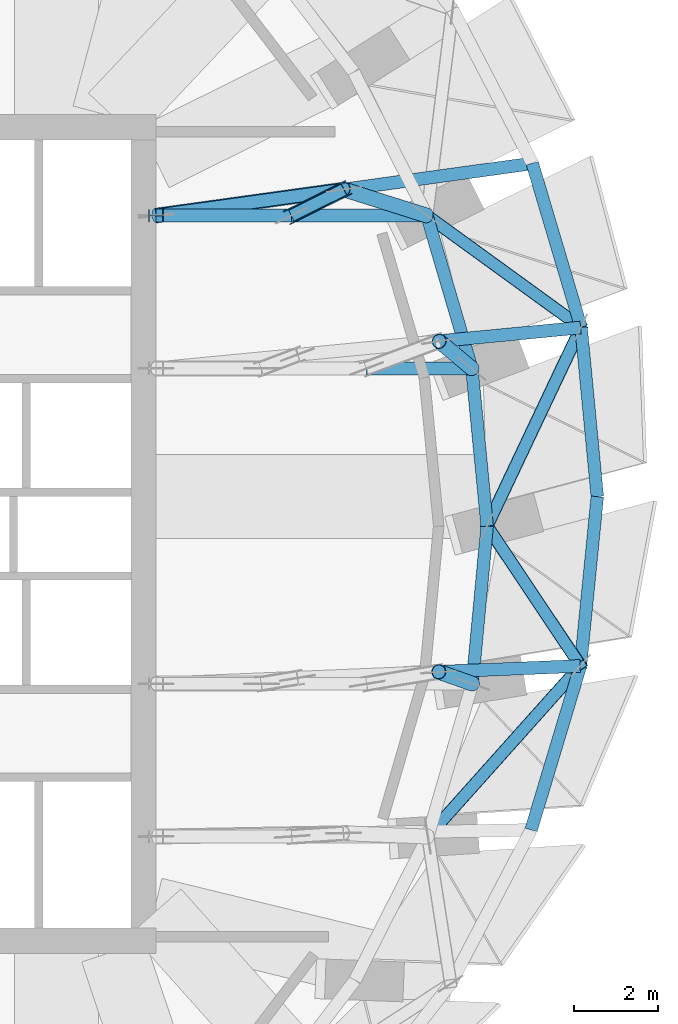
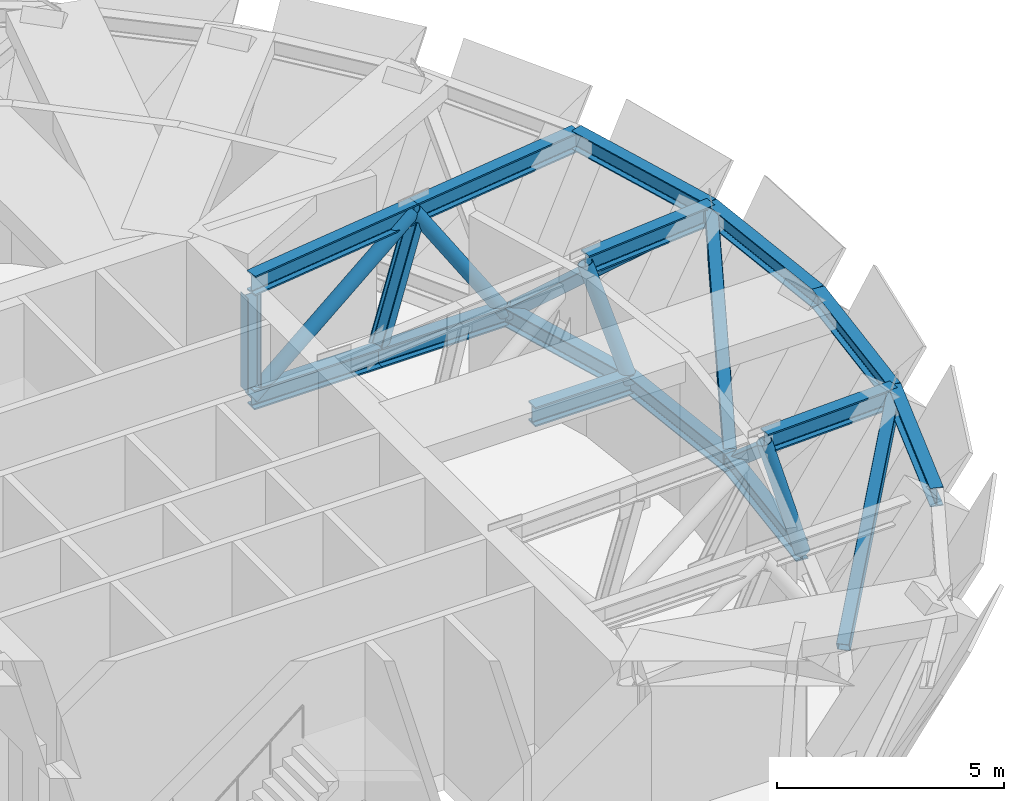
# One storey, part 5 of 16: 24 members.
"""IFC4 building model written with IfcOpenShell, lengths in metres."""

from ifc_helpers import new_model, si_unit, direction, frame, origin, origin_2d, place, context, subcontext, project, spatial, hollow_rectangle, hollow_circle, i_section, extrude, material, material_profile, profile_set, type_object, element, save


model = new_model("IFC4")

# Units and contexts
model_context = context("Model", 3, precision=1e-05, world=origin(), true_north=direction((0.0, 1.0)))
body_context = subcontext(model_context, "Body", "Model", "MODEL_VIEW")
ifc_project = project(units=[si_unit("LENGTHUNIT", "METRE"), si_unit("AREAUNIT", "SQUARE_METRE"), si_unit("VOLUMEUNIT", "CUBIC_METRE"), si_unit("PLANEANGLEUNIT", "RADIAN"), si_unit("MASSUNIT", "GRAM", prefix="KILO")], contexts=[model_context])

# Site, building, storey
site_placement = place(None, origin())
site = spatial("IfcSite", under=ifc_project, at=site_placement, CompositionType="ELEMENT")
building_placement = place(site_placement, origin())
building = spatial("IfcBuilding", under=site, at=building_placement, Name="Taillehof Tower", CompositionType="ELEMENT")
storey_placement = place(building_placement, frame((0.0, 0.0, 184.699951171875)))
storey = spatial("IfcBuildingStorey", under=building, at=storey_placement, Name="L52", CompositionType="ELEMENT", Elevation=184.699951171875)

# Members
ifc_material_1 = material(Name="Steel S460M", Category="steel")
ifc_material_profile_1 = material_profile(ifc_material_1, i_section(OverallWidth=0.300048828125, OverallDepth=0.5, WebThickness=0.014404296875, FlangeThickness=0.028076171875, FilletRadius=0.027099609375, at=origin_2d()), Name="HEB 500")
ifc_profile_set_1 = profile_set([ifc_material_profile_1], Name="Steel S460M")
member_type_1 = type_object("IfcMemberType", Name="Belt truss chord HEB 500", PredefinedType="CHORD", material=ifc_profile_set_1)
member_1_placement = place(storey_placement, frame((23.89453125, 0.19189453125, 0.900146484375), z_axis=(-0.096514261308, 0.995331601711, 0.0), x_axis=(-0.995331601711, -0.096514261308, 0.0)))
element("IfcMember", 1, at=member_1_placement, inside=storey, type_object=member_type_1, Name="Belt truss bottom chord BB01", PredefinedType="CHORD", context=body_context, shape_type="SweptSolid", body=[
    extrude(i_section(OverallWidth=0.300048828125, OverallDepth=0.5, WebThickness=0.014404296875, FlangeThickness=0.028076171875, FilletRadius=0.027099609375, at=origin_2d()), origin(), (0.0, 0.0, 1.0), 3.776611328125),
])
member_2_placement = place(storey_placement, frame((26.52197265625, 0.892578125, 3.969970703125), z_axis=(-0.095431324361, 0.995436016191, 0.0), x_axis=(-0.995436016191, -0.095431324361, 0.0)))
element("IfcMember", 2, at=member_2_placement, inside=storey, type_object=member_type_1, Name="Belt truss top chord BT01", PredefinedType="CHORD", context=body_context, shape_type="SweptSolid", body=[
    extrude(i_section(OverallWidth=0.300048828125, OverallDepth=0.5, WebThickness=0.014404296875, FlangeThickness=0.028076171875, FilletRadius=0.027099609375, at=origin_2d()), origin(), (0.0, 0.0, 1.0), 4.054931640625),
])
member_3_placement = place(storey_placement, frame((23.530029296875, 3.950927734375, 0.900146484375), z_axis=(-0.282020209618, 0.959408464298, 0.0), x_axis=(-0.959408464298, -0.282020209618, 0.0)))
element("IfcMember", 3, at=member_3_placement, inside=storey, type_object=member_type_1, Name="Belt truss bottom chord BB02", PredefinedType="CHORD", context=body_context, shape_type="SweptSolid", body=[
    extrude(i_section(OverallWidth=0.300048828125, OverallDepth=0.5, WebThickness=0.014404296875, FlangeThickness=0.028076171875, FilletRadius=0.027099609375, at=origin_2d()), origin(), (0.0, 0.0, 1.0), 3.799560546875),
])
member_4_placement = place(storey_placement, frame((26.135009765625, 4.928955078125, 3.969970703125), z_axis=(-0.285059362576, 0.95850986422, 0.0), x_axis=(-0.95850986422, -0.285059362576, 0.0)))
element("IfcMember", 4, at=member_4_placement, inside=storey, type_object=member_type_1, Name="Belt truss top chord BT02", PredefinedType="CHORD", context=body_context, shape_type="SweptSolid", body=[
    extrude(i_section(OverallWidth=0.300048828125, OverallDepth=0.5, WebThickness=0.014404296875, FlangeThickness=0.028076171875, FilletRadius=0.027099609375, at=origin_2d()), origin(), (0.0, 0.0, 1.0), 4.082763671875),
])
member_5_placement = place(storey_placement, frame((24.94287109375, -7.05517578125, 3.969970703125), z_axis=(0.288230481625, 0.957561063046, 0.0), x_axis=(-0.957561063046, 0.288230481625, 0.0)))
element("IfcMember", 5, at=member_5_placement, inside=storey, type_object=member_type_1, Name="Belt truss top chord BT35", PredefinedType="CHORD", context=body_context, shape_type="SweptSolid", body=[
    extrude(i_section(OverallWidth=0.300048828125, OverallDepth=0.5, WebThickness=0.014404296875, FlangeThickness=0.028076171875, FilletRadius=0.027099609375, at=origin_2d()), origin(), (0.0, 0.0, 1.0), 4.085205078125),
])
member_6_placement = place(storey_placement, frame((23.541259765625, -3.567626953125, 0.900146484375), z_axis=(0.093555011361, 0.995614111918, 0.0), x_axis=(-0.995614111918, 0.093555011361, 0.0)))
element("IfcMember", 6, at=member_6_placement, inside=storey, type_object=member_type_1, Name="Belt truss bottom chord BB36", PredefinedType="CHORD", context=body_context, shape_type="SweptSolid", body=[
    extrude(i_section(OverallWidth=0.300048828125, OverallDepth=0.5, WebThickness=0.014404296875, FlangeThickness=0.028076171875, FilletRadius=0.027099609375, at=origin_2d()), origin(), (0.0, 0.0, 1.0), 3.776123046875),
])
member_7_placement = place(storey_placement, frame((26.120361328125, -3.143310546875, 3.969970703125), z_axis=(0.099020954455, 0.995085348389, 0.0), x_axis=(-0.995085348389, 0.099020954455, 0.0)))
element("IfcMember", 7, at=member_7_placement, inside=storey, type_object=member_type_1, Name="Belt truss top chord BT36", PredefinedType="CHORD", context=body_context, shape_type="SweptSolid", body=[
    extrude(i_section(OverallWidth=0.300048828125, OverallDepth=0.5, WebThickness=0.014404296875, FlangeThickness=0.028076171875, FilletRadius=0.027099609375, at=origin_2d()), origin(), (0.0, 0.0, 1.0), 4.055908203125),
])
ifc_material_2 = material(Name="Steel S460M", Category="steel")
ifc_material_profile_2 = material_profile(ifc_material_2, hollow_rectangle(XDim=0.300048828125, YDim=0.300048828125, WallThickness=0.012451171875, InnerFilletRadius=0.012451171875, OuterFilletRadius=0.018798828125, at=origin_2d()), Name="RHS 300x300x12.5")
ifc_profile_set_2 = profile_set([ifc_material_profile_2], Name="Steel S460M")
member_type_2 = type_object("IfcMemberType", Name="Belt truss diagonal RHS 300x300x12.5", PredefinedType="BRACE", material=ifc_profile_set_2)
member_8_placement = place(storey_placement, frame((23.89453125, 0.19189453125, 0.900146484375), z_axis=(0.368914610193, 0.779998930105, 0.505473717834), x_axis=(-0.903988132487, 0.427557547381, 0.0)))
element("IfcMember", 8, at=member_8_placement, inside=storey, type_object=member_type_2, Name="Belt truss diagonal BX01", PredefinedType="BRACE", context=body_context, shape_type="SweptSolid", body=[
    extrude(hollow_rectangle(XDim=0.300048828125, YDim=0.300048828125, WallThickness=0.012451171875, InnerFilletRadius=0.012451171875, OuterFilletRadius=0.018798828125, at=origin_2d()), origin(), (0.0, 0.0, 1.0), 6.0732421875),
])
member_9_placement = place(storey_placement, frame((26.135009765625, 4.928955078125, 3.969970703125), z_axis=(-0.670625123777, 0.486524966948, -0.559960177062), x_axis=(-0.587222091214, -0.809425855524, 0.0)))
element("IfcMember", 9, at=member_9_placement, inside=storey, type_object=member_type_2, Name="Belt truss diagonal BX02", PredefinedType="BRACE", context=body_context, shape_type="SweptSolid", body=[
    extrude(hollow_rectangle(XDim=0.300048828125, YDim=0.300048828125, WallThickness=0.012451171875, InnerFilletRadius=0.012451171875, OuterFilletRadius=0.018798828125, at=origin_2d()), origin(), (0.0, 0.0, 1.0), 5.482177734375),
])
member_10_placement = place(storey_placement, frame((22.480712890625, -7.214111328125, 0.900146484375), z_axis=(0.581008274289, 0.649834448987, 0.490045481682), x_axis=(-0.745482144615, 0.666525597453, 0.0)))
element("IfcMember", 10, at=member_10_placement, inside=storey, type_object=member_type_2, Name="Belt truss diagonal BX35", PredefinedType="BRACE", context=body_context, shape_type="SweptSolid", body=[
    extrude(hollow_rectangle(XDim=0.300048828125, YDim=0.300048828125, WallThickness=0.012451171875, InnerFilletRadius=0.012451171875, OuterFilletRadius=0.018798828125, at=origin_2d()), origin(), (0.0, 0.0, 1.0), 6.264404296875),
])
member_11_placement = place(storey_placement, frame((26.120361328125, -3.143310546875, 3.969970703125), z_axis=(-0.440765057884, 0.660446578452, -0.607895123158), x_axis=(-0.831778544466, -0.555107604853, 0.0)))
element("IfcMember", 11, at=member_11_placement, inside=storey, type_object=member_type_2, Name="Belt truss diagonal BX36", PredefinedType="BRACE", context=body_context, shape_type="SweptSolid", body=[
    extrude(hollow_rectangle(XDim=0.300048828125, YDim=0.300048828125, WallThickness=0.012451171875, InnerFilletRadius=0.012451171875, OuterFilletRadius=0.018798828125, at=origin_2d()), origin(), (0.0, 0.0, 1.0), 5.0498046875),
])
ifc_material_3 = material(Name="Steel S460M", Category="steel")
ifc_material_profile_3 = material_profile(ifc_material_3, i_section(OverallWidth=0.305908203125, OverallDepth=0.52392578125, WebThickness=0.02099609375, FlangeThickness=0.0400390625, FilletRadius=0.027099609375, at=origin_2d()), Name="HEM 500")
ifc_profile_set_3 = profile_set([ifc_material_profile_3], Name="Steel S460M")
member_type_3 = type_object("IfcMemberType", Name="Outrigger chord HEM 500", PredefinedType="CHORD", material=ifc_profile_set_3)
member_12_placement = place(storey_placement, frame((21.02001953125, 3.950927734375, 0.900146484375), z_axis=(1.0, 0.0, 0.0), x_axis=(0.0, 1.0, 0.0)))
element("IfcMember", 12, at=member_12_placement, inside=storey, type_object=member_type_3, Name="Outrigger OT1 bottom chord 03", PredefinedType="CHORD", context=body_context, shape_type="SweptSolid", body=[
    extrude(i_section(OverallWidth=0.305908203125, OverallDepth=0.52392578125, WebThickness=0.02099609375, FlangeThickness=0.0400390625, FilletRadius=0.027099609375, at=origin_2d()), origin(), (0.0, 0.0, 1.0), 2.510009765625),
])
member_13_placement = place(storey_placement, frame((22.749755859375, 4.600341796875, 3.9580078125), z_axis=(0.995403750528, 0.09576728792, 0.0), x_axis=(-0.09576728792, 0.995403750528, 0.0)))
element("IfcMember", 13, at=member_13_placement, inside=storey, type_object=member_type_3, Name="Outrigger OT1 top chord 03", PredefinedType="CHORD", context=body_context, shape_type="SweptSolid", body=[
    extrude(i_section(OverallWidth=0.305908203125, OverallDepth=0.52392578125, WebThickness=0.02099609375, FlangeThickness=0.0400390625, FilletRadius=0.027099609375, at=origin_2d()), origin(), (0.0, 0.0, 1.0), 3.390625),
])
member_14_placement = place(storey_placement, frame((16.0, 7.59619140625, 0.900146484375), z_axis=(1.0, 0.0, 0.0), x_axis=(0.0, 1.0, 0.0)))
element("IfcMember", 14, at=member_14_placement, inside=storey, type_object=member_type_3, Name="Outrigger OT2 bottom chord 01", PredefinedType="CHORD", context=body_context, shape_type="SweptSolid", body=[
    extrude(i_section(OverallWidth=0.305908203125, OverallDepth=0.52392578125, WebThickness=0.02099609375, FlangeThickness=0.0400390625, FilletRadius=0.027099609375, at=origin_2d()), origin(), (0.0, 0.0, 1.0), 3.229248046875),
])
member_15_placement = place(storey_placement, frame((16.0, 7.59619140625, 3.9580078125), z_axis=(0.990543887067, 0.137196238268, 0.0), x_axis=(-0.137196238268, 0.990543887067, 0.0)))
element("IfcMember", 15, at=member_15_placement, inside=storey, type_object=member_type_3, Name="Outrigger OT2 top chord 01", PredefinedType="CHORD", context=body_context, shape_type="SweptSolid", body=[
    extrude(i_section(OverallWidth=0.305908203125, OverallDepth=0.52392578125, WebThickness=0.02099609375, FlangeThickness=0.0400390625, FilletRadius=0.027099609375, at=origin_2d()), origin(), (0.0, 0.0, 1.0), 4.5234375),
])
member_16_placement = place(storey_placement, frame((19.229248046875, 7.59619140625, 0.900146484375), z_axis=(1.0, 0.0, 0.0), x_axis=(0.0, 1.0, 0.0)))
element("IfcMember", 16, at=member_16_placement, inside=storey, type_object=member_type_3, Name="Outrigger OT2 bottom chord 02", PredefinedType="CHORD", context=body_context, shape_type="SweptSolid", body=[
    extrude(i_section(OverallWidth=0.305908203125, OverallDepth=0.52392578125, WebThickness=0.02099609375, FlangeThickness=0.0400390625, FilletRadius=0.027099609375, at=origin_2d()), origin(), (0.0, 0.0, 1.0), 3.229248046875),
])
member_17_placement = place(storey_placement, frame((20.480712890625, 8.216796875, 3.9580078125), z_axis=(0.990543887067, 0.137196238268, 0.0), x_axis=(-0.137196238268, 0.990543887067, 0.0)))
element("IfcMember", 17, at=member_17_placement, inside=storey, type_object=member_type_3, Name="Outrigger OT2 top chord 02", PredefinedType="CHORD", context=body_context, shape_type="SweptSolid", body=[
    extrude(i_section(OverallWidth=0.305908203125, OverallDepth=0.52392578125, WebThickness=0.02099609375, FlangeThickness=0.0400390625, FilletRadius=0.027099609375, at=origin_2d()), origin(), (0.0, 0.0, 1.0), 4.5234375),
])
member_18_placement = place(storey_placement, frame((22.740234375, -3.285888671875, 3.9580078125), z_axis=(0.999127544899, 0.041763010244, 0.0), x_axis=(-0.041763010244, 0.999127544899, 0.0)))
element("IfcMember", 18, at=member_18_placement, inside=storey, type_object=member_type_3, Name="Outrigger OT4 top chord 03", PredefinedType="CHORD", context=body_context, shape_type="SweptSolid", body=[
    extrude(i_section(OverallWidth=0.305908203125, OverallDepth=0.52392578125, WebThickness=0.02099609375, FlangeThickness=0.0400390625, FilletRadius=0.027099609375, at=origin_2d()), origin(), (0.0, 0.0, 1.0), 3.373046875),
])
ifc_material_4 = material(Name="Steel S460M", Category="steel")
ifc_material_profile_4 = material_profile(ifc_material_4, hollow_circle(Radius=0.177734375, WallThickness=0.01611328125, at=origin_2d()), Name="CHS 355.6x16")
ifc_profile_set_4 = profile_set([ifc_material_profile_4], Name="Steel S460M")
member_type_4 = type_object("IfcMemberType", Name="Outrigger diagonal CHS 355.6x16", PredefinedType="BRACE", material=ifc_profile_set_4)
member_19_placement = place(storey_placement, frame((22.749755859375, 4.600341796875, 3.9580078125), z_axis=(0.242172892722, -0.201558164781, -0.949066170633), x_axis=(0.639711177433, 0.768615384615, 0.0)))
element("IfcMember", 19, at=member_19_placement, inside=storey, type_object=member_type_4, Name="Outrigger OT1 diagonal 03", PredefinedType="BRACE", context=body_context, shape_type="SweptSolid", body=[
    extrude(hollow_circle(Radius=0.177734375, WallThickness=0.01611328125, at=origin_2d()), origin(), (0.0, 0.0, 1.0), 3.221923828125),
])
member_20_placement = place(storey_placement, frame((16.0, 7.59619140625, 0.900146484375), z_axis=(0.820631617943, 0.113662375242, 0.560039830804), x_axis=(-0.137196238268, 0.990543887067, 0.0)))
element("IfcMember", 20, at=member_20_placement, inside=storey, type_object=member_type_4, Name="Outrigger OT2 diagonal 01", PredefinedType="BRACE", context=body_context, shape_type="SweptSolid", body=[
    extrude(hollow_circle(Radius=0.177734375, WallThickness=0.01611328125, at=origin_2d()), origin(), (0.0, 0.0, 1.0), 5.4599609375),
])
member_21_placement = place(storey_placement, frame((20.480712890625, 8.216796875, 3.9580078125), z_axis=(0.535371710803, -0.167993443879, -0.827741103296), x_axis=(0.299394738108, 0.954129336512, 0.0)))
element("IfcMember", 21, at=member_21_placement, inside=storey, type_object=member_type_4, Name="Outrigger OT2 diagonal 02", PredefinedType="BRACE", context=body_context, shape_type="SweptSolid", body=[
    extrude(hollow_circle(Radius=0.177734375, WallThickness=0.01611328125, at=origin_2d()), origin(), (0.0, 0.0, 1.0), 3.6943359375),
])
member_22_placement = place(storey_placement, frame((22.740234375, -3.285888671875, 3.9580078125), z_axis=(0.252405300025, -0.088776506013, -0.963540500705), x_axis=(0.331797238081, 0.943350726295, 0.0)))
element("IfcMember", 22, at=member_22_placement, inside=storey, type_object=member_type_4, Name="Outrigger OT4 diagonal 03", PredefinedType="BRACE", context=body_context, shape_type="SweptSolid", body=[
    extrude(hollow_circle(Radius=0.177734375, WallThickness=0.01611328125, at=origin_2d()), origin(), (0.0, 0.0, 1.0), 3.173583984375),
])
ifc_material_5 = material(Name="Steel S460M", Category="steel")
ifc_material_profile_5 = material_profile(ifc_material_5, i_section(OverallWidth=0.300048828125, OverallDepth=0.360107421875, WebThickness=0.012451171875, FlangeThickness=0.0224609375, FilletRadius=0.027099609375, at=origin_2d()), Name="HEB 360")
ifc_profile_set_5 = profile_set([ifc_material_profile_5], Name="Steel S460M")
member_type_5 = type_object("IfcMemberType", Name="Outrigger post HEB 360", PredefinedType="POST", material=ifc_profile_set_5)
member_23_placement = place(storey_placement, frame((16.0, 7.59619140625, 1.162109375), z_axis=(0.0, 0.0, 1.0), x_axis=(0.0, -1.0, 0.0)))
element("IfcMember", 23, at=member_23_placement, inside=storey, type_object=member_type_5, Name="Outrigger OT2 post 01", PredefinedType="POST", context=body_context, shape_type="SweptSolid", body=[
    extrude(i_section(OverallWidth=0.300048828125, OverallDepth=0.360107421875, WebThickness=0.012451171875, FlangeThickness=0.0224609375, FilletRadius=0.027099609375, at=origin_2d()), origin(), (0.0, 0.0, 1.0), 2.533935546875),
])
member_24_placement = place(storey_placement, frame((19.229248046875, 7.59619140625, 1.162109375), z_axis=(0.432514119275, 0.214485152399, 0.875744058517), x_axis=(0.784570757434, 0.389071179359, -0.482775666301)))
element("IfcMember", 24, at=member_24_placement, inside=storey, type_object=member_type_5, Name="Outrigger OT2 post 02", PredefinedType="POST", context=body_context, shape_type="SweptSolid", body=[
    extrude(i_section(OverallWidth=0.300048828125, OverallDepth=0.360107421875, WebThickness=0.012451171875, FlangeThickness=0.0224609375, FilletRadius=0.027099609375, at=origin_2d()), origin(), (0.0, 0.0, 1.0), 2.8935546875),
])

save(model, "model.ifc")
